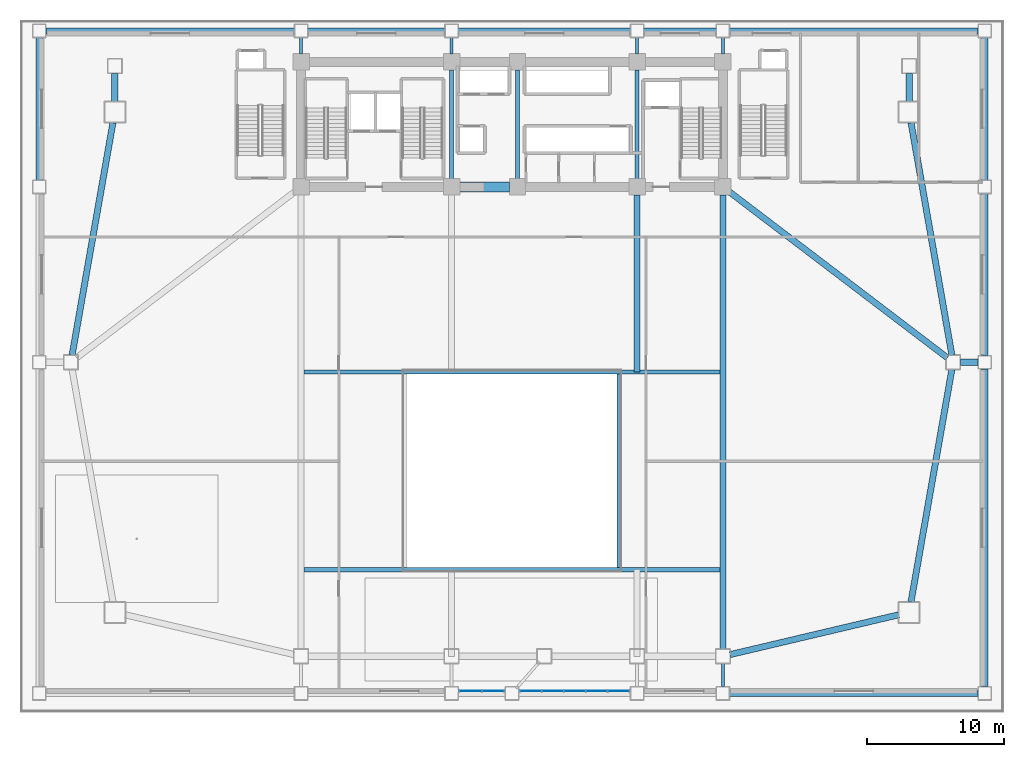
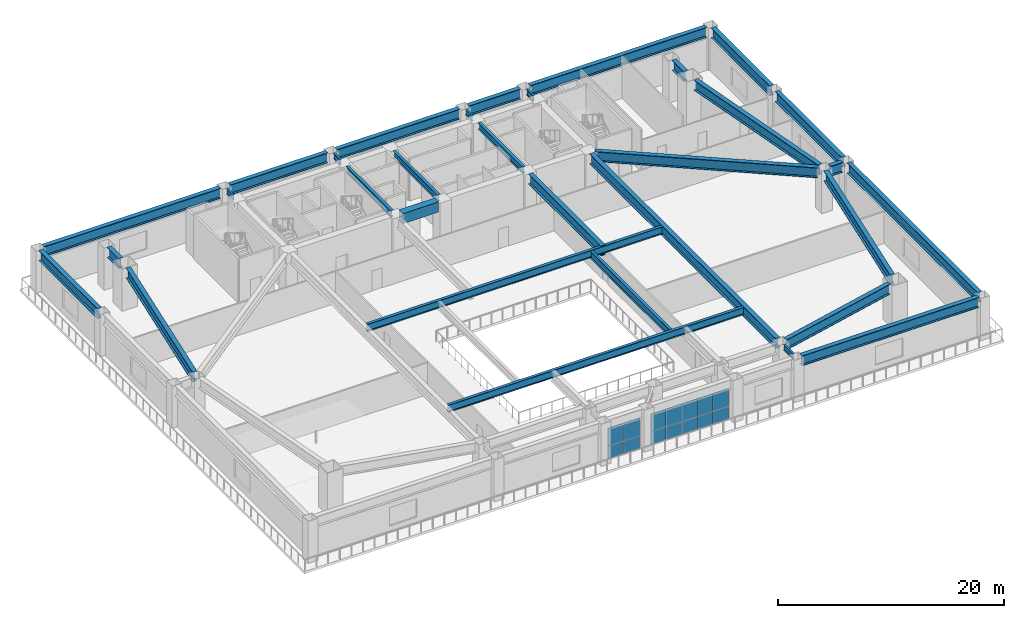
# One storey, part 5 of 14: 32 beams, 14 plates, 2 elements without a shape of their own.
"""IFC4 building model written with IfcOpenShell, lengths in metres."""

from ifc_helpers import new_model, si_unit, direction, frame, origin, origin_2d, place, context, subcontext, project, spatial, rectangle, i_section, extrude, source, transform, mapped, material, layer, layer_set, material_profile, profile_set, type_object, element, aggregate, save


model = new_model("IFC4")

# Units and contexts
model_context = context("Model", 3, precision=1e-05, world=origin(), true_north=direction((0.0, 1.0)))
body_context = subcontext(model_context, "Body", "Model", "MODEL_VIEW")
ifc_project = project(units=[si_unit("LENGTHUNIT", "METRE"), si_unit("AREAUNIT", "SQUARE_METRE"), si_unit("VOLUMEUNIT", "CUBIC_METRE"), si_unit("PLANEANGLEUNIT", "RADIAN"), si_unit("MASSUNIT", "GRAM", prefix="KILO")], contexts=[model_context])

# Site, building, storey
site_placement = place(None, origin())
site = spatial("IfcSite", under=ifc_project, at=site_placement, CompositionType="ELEMENT")
building_placement = place(site_placement, origin())
building = spatial("IfcBuilding", under=site, at=building_placement, Name="Giltprow Tower", CompositionType="ELEMENT")
storey_placement = place(building_placement, frame((0.0, 0.0, 5.60009765625)))
storey = spatial("IfcBuildingStorey", under=building, at=storey_placement, Name="L02", CompositionType="ELEMENT", Elevation=5.60009765625)

# Beams
ifc_material_1 = material(Name="Concrete C60", Category="concrete")
ifc_material_profile_1 = material_profile(ifc_material_1, rectangle(XDim=0.699951171875, YDim=1.10009765625, at=origin_2d()), Name="RC 1100x700")
ifc_profile_set_1 = profile_set([ifc_material_profile_1], Name="Concrete C60")
beam_type_1 = type_object("IfcBeamType", Name="BM-CPL-RC1100", PredefinedType="LINTEL", material=ifc_profile_set_1)
shared_shape_1 = source(origin(), body_context, "Body", "SweptSolid", [
    extrude(rectangle(XDim=0.699951171875, YDim=1.10009765625, at=origin_2d()), origin(), (0.0, 0.0, 1.0), 3.6298828125),
])
beam_1_placement = place(storey_placement, frame((31.385009765625, 37.449951171875, 3.989990234375), z_axis=(1.0, 0.0, 0.0), x_axis=(0.0, 1.0, 0.0)))
element("IfcBeam", 1, at=beam_1_placement, inside=storey, type_object=beam_type_1, Name="L02 Core Coupling Beam CB-1", PredefinedType="LINTEL", context=body_context, shape_type="MappedRepresentation", body=[
    mapped(shared_shape_1, transform((0.0, 0.0, 0.0), x_axis=(1.0, 0.0, 0.0), y_axis=(0.0, 1.0, 0.0), z_axis=(0.0, 0.0, 1.0), scale=1.0)),
])
ifc_material_2 = material(Name="Structural steel Q355B", Category="steel")
ifc_material_profile_2 = material_profile(ifc_material_2, i_section(OverallWidth=0.300048828125, OverallDepth=0.699951171875, WebThickness=0.012939453125, FlangeThickness=0.02392578125, at=origin_2d()), Name="HN 700x300x13x24")
ifc_profile_set_2 = profile_set([ifc_material_profile_2], Name="Structural steel Q355B")
beam_type_2 = type_object("IfcBeamType", Name="BM-GIRD-HN700", PredefinedType="BEAM", material=ifc_profile_set_2)
shared_shape_2 = source(origin(), body_context, "Body", "SweptSolid", [
    extrude(i_section(OverallWidth=0.300048828125, OverallDepth=0.699951171875, WebThickness=0.012939453125, FlangeThickness=0.02392578125, at=origin_2d()), origin(), (0.0, 0.0, 1.0), 7.93017578125),
])
for number, where, z_axis, x_axis, name in (
    (2, (30.800048828125, 38.034912109375, 4.18994140625), (0.0, 1.0, 0.0), (-1.0, 0.0, 0.0), "L02 Core Tie Girder M1"),
    (3, (35.60009765625, 38.034912109375, 4.18994140625), (0.0, 1.0, 0.0), (-1.0, 0.0, 0.0), "L02 Core Tie Girder M2"),
    (4, (44.300048828125, 38.034912109375, 4.18994140625), (0.0, 1.0, 0.0), (-1.0, 0.0, 0.0), "L02 Core Tie Girder M3"),
):
    element("IfcBeam", number, at=place(storey_placement, frame(where, z_axis=z_axis, x_axis=x_axis)), inside=storey, type_object=beam_type_2, Name=name, PredefinedType="BEAM", context=body_context, shape_type="MappedRepresentation", body=[
        mapped(shared_shape_2, transform((0.0, 0.0, 0.0), x_axis=(1.0, 0.0, 0.0), y_axis=(0.0, 1.0, 0.0), z_axis=(0.0, 0.0, 1.0), scale=1.0)),
    ])
ifc_material_3 = material(Name="Structural steel Q420GJC", Category="steel")
ifc_material_profile_3 = material_profile(ifc_material_3, i_section(OverallWidth=0.449951171875, OverallDepth=1.10009765625, WebThickness=0.02587890625, FlangeThickness=0.0419921875, at=origin_2d()), Name="WH 1100x450x26x42")
ifc_profile_set_3 = profile_set([ifc_material_profile_3], Name="Structural steel Q420GJC")
beam_type_3 = type_object("IfcBeamType", Name="BM-GIRD-WH1100", PredefinedType="BEAM", material=ifc_profile_set_3)
shared_shape_3 = source(origin(), body_context, "Body", "SweptSolid", [
    extrude(i_section(OverallWidth=0.449951171875, OverallDepth=1.10009765625, WebThickness=0.02587890625, FlangeThickness=0.0419921875, at=origin_2d()), origin(), (0.0, 0.0, 1.0), 12.602294921875),
])
beam_2_placement = place(storey_placement, frame((51.071044921875, 3.423095703125, 3.989990234375), z_axis=(0.973220162017, 0.229875001344, 0.0), x_axis=(-0.229875001344, 0.973220162017, 0.0)))
element("IfcBeam", 5, at=beam_2_placement, inside=storey, type_object=beam_type_3, Name="L02 Tower Base Ring Girder 6", PredefinedType="BEAM", context=body_context, shape_type="MappedRepresentation", body=[
    mapped(shared_shape_3, transform((0.0, 0.0, 0.0), x_axis=(1.0, 0.0, 0.0), y_axis=(0.0, 1.0, 0.0), z_axis=(0.0, 0.0, 1.0), scale=1.0)),
])
shared_shape_4 = source(origin(), body_context, "Body", "SweptSolid", [
    extrude(i_section(OverallWidth=0.449951171875, OverallDepth=1.10009765625, WebThickness=0.02587890625, FlangeThickness=0.0419921875, at=origin_2d()), origin(), (0.0, 0.0, 1.0), 17.1591796875),
])
beam_3_placement = place(storey_placement, frame((64.236083984375, 7.27294921875, 3.989990234375), z_axis=(0.173139216532, 0.984897360997, 0.0), x_axis=(-0.984897360997, 0.173139216532, 0.0)))
element("IfcBeam", 6, at=beam_3_placement, inside=storey, type_object=beam_type_3, Name="L02 Tower Base Ring Girder 7", PredefinedType="BEAM", context=body_context, shape_type="MappedRepresentation", body=[
    mapped(shared_shape_4, transform((0.0, 0.0, 0.0), x_axis=(1.0, 0.0, 0.0), y_axis=(0.0, 1.0, 0.0), z_axis=(0.0, 0.0, 1.0), scale=1.0)),
])
shared_shape_5 = source(origin(), body_context, "Body", "SweptSolid", [
    extrude(i_section(OverallWidth=0.449951171875, OverallDepth=1.10009765625, WebThickness=0.02587890625, FlangeThickness=0.0419921875, at=origin_2d()), origin(), (0.0, 0.0, 1.0), 17.158935546875),
])
for number, where, z_axis, x_axis, name in (
    (7, (67.20703125, 25.22705078125, 3.989990234375), (-0.173141642767, 0.984896934476, 0.0), (-0.984896934476, -0.173141642767, 0.0), "L02 Tower Base Ring Girder 8"),
    (8, (6.1640625, 42.126953125, 3.989990234375), (-0.173141642767, -0.984896934476, 0.0), (0.984896934476, -0.173141642767, 0.0), "L02 Tower Base Ring Girder 11"),
):
    element("IfcBeam", number, at=place(storey_placement, frame(where, z_axis=z_axis, x_axis=x_axis)), inside=storey, type_object=beam_type_3, Name=name, PredefinedType="BEAM", context=body_context, shape_type="MappedRepresentation", body=[
        mapped(shared_shape_5, transform((0.0, 0.0, 0.0), x_axis=(1.0, 0.0, 0.0), y_axis=(0.0, 1.0, 0.0), z_axis=(0.0, 0.0, 1.0), scale=1.0)),
    ])
shared_shape_6 = source(origin(), body_context, "Body", "SweptSolid", [
    extrude(i_section(OverallWidth=0.449951171875, OverallDepth=1.10009765625, WebThickness=0.02587890625, FlangeThickness=0.0419921875, at=origin_2d()), origin(), (0.0, 0.0, 1.0), 2.030029296875),
])
for number, where, z_axis, x_axis, name in (
    (9, (64.10009765625, 43.68505859375, 3.989990234375), (0.0, 1.0, 0.0), (-1.0, 0.0, 0.0), "L02 Tower Base Ring Girder 9"),
    (10, (6.300048828125, 45.715087890625, 3.989990234375), (0.0, -1.0, 0.0), (1.0, 0.0, 0.0), "L02 Tower Base Ring Girder 10"),
):
    element("IfcBeam", number, at=place(storey_placement, frame(where, z_axis=z_axis, x_axis=x_axis)), inside=storey, type_object=beam_type_3, Name=name, PredefinedType="BEAM", context=body_context, shape_type="MappedRepresentation", body=[
        mapped(shared_shape_6, transform((0.0, 0.0, 0.0), x_axis=(1.0, 0.0, 0.0), y_axis=(0.0, 1.0, 0.0), z_axis=(0.0, 0.0, 1.0), scale=1.0)),
    ])
shared_shape_7 = source(origin(), body_context, "Body", "SweptSolid", [
    extrude(i_section(OverallWidth=0.449951171875, OverallDepth=1.10009765625, WebThickness=0.02587890625, FlangeThickness=0.0419921875, at=origin_2d()), origin(), (0.0, 0.0, 1.0), 33.030029296875),
])
beam_4_placement = place(storey_placement, frame((50.550048828125, 3.8349609375, 3.989990234375), z_axis=(0.0, 1.0, 0.0), x_axis=(-1.0, 0.0, 0.0)))
element("IfcBeam", 11, at=beam_4_placement, inside=storey, type_object=beam_type_3, Name="L02 Primary Podium Span Girder S4", PredefinedType="BEAM", context=body_context, shape_type="MappedRepresentation", body=[
    mapped(shared_shape_7, transform((0.0, 0.0, 0.0), x_axis=(1.0, 0.0, 0.0), y_axis=(0.0, 1.0, 0.0), z_axis=(0.0, 0.0, 1.0), scale=1.0)),
])
shared_shape_8 = source(origin(), body_context, "Body", "SweptSolid", [
    extrude(i_section(OverallWidth=0.449951171875, OverallDepth=1.10009765625, WebThickness=0.02587890625, FlangeThickness=0.0419921875, at=origin_2d()), origin(), (0.0, 0.0, 1.0), 19.930908203125),
])
beam_5_placement = place(storey_placement, frame((51.014892578125, 37.095947265625, 3.989990234375), z_axis=(0.795700739064, -0.605689965124, 0.0), x_axis=(0.605689965124, 0.795700739064, 0.0)))
element("IfcBeam", 12, at=beam_5_placement, inside=storey, type_object=beam_type_3, Name="L02 East Tie 2", PredefinedType="BEAM", context=body_context, shape_type="MappedRepresentation", body=[
    mapped(shared_shape_8, transform((0.0, 0.0, 0.0), x_axis=(1.0, 0.0, 0.0), y_axis=(0.0, 1.0, 0.0), z_axis=(0.0, 0.0, 1.0), scale=1.0)),
])
shared_shape_9 = source(origin(), body_context, "Body", "SweptSolid", [
    extrude(i_section(OverallWidth=0.449951171875, OverallDepth=1.10009765625, WebThickness=0.02587890625, FlangeThickness=0.0419921875, at=origin_2d()), origin(), (0.0, 0.0, 1.0), 18.080078125),
])
for number, where, z_axis, x_axis, name in (
    (13, (51.034912109375, 0.60009765625, 3.989990234375), (1.0, 0.0, 0.0), (0.0, 1.0, 0.0), "L02 Podium South Edge Girder"),
    (14, (1.284912109375, 48.800048828125, 3.989990234375), (1.0, 0.0, 0.0), (0.0, 1.0, 0.0), "L02 Podium North Edge Girder"),
    (15, (51.034912109375, 48.800048828125, 3.989990234375), (1.0, 0.0, 0.0), (0.0, 1.0, 0.0), "L02 Podium North Edge Girder"),
):
    element("IfcBeam", number, at=place(storey_placement, frame(where, z_axis=z_axis, x_axis=x_axis)), inside=storey, type_object=beam_type_3, Name=name, PredefinedType="BEAM", context=body_context, shape_type="MappedRepresentation", body=[
        mapped(shared_shape_9, transform((0.0, 0.0, 0.0), x_axis=(1.0, 0.0, 0.0), y_axis=(0.0, 1.0, 0.0), z_axis=(0.0, 0.0, 1.0), scale=1.0)),
    ])
shared_shape_10 = source(origin(), body_context, "Body", "SweptSolid", [
    extrude(i_section(OverallWidth=0.449951171875, OverallDepth=1.10009765625, WebThickness=0.02587890625, FlangeThickness=0.0419921875, at=origin_2d()), origin(), (0.0, 0.0, 1.0), 9.97998046875),
])
beam_6_placement = place(storey_placement, frame((20.3349609375, 48.800048828125, 3.989990234375), z_axis=(1.0, 0.0, 0.0), x_axis=(0.0, 1.0, 0.0)))
element("IfcBeam", 16, at=beam_6_placement, inside=storey, type_object=beam_type_3, Name="L02 Podium North Edge Girder", PredefinedType="BEAM", context=body_context, shape_type="MappedRepresentation", body=[
    mapped(shared_shape_10, transform((0.0, 0.0, 0.0), x_axis=(1.0, 0.0, 0.0), y_axis=(0.0, 1.0, 0.0), z_axis=(0.0, 0.0, 1.0), scale=1.0)),
])
shared_shape_11 = source(origin(), body_context, "Body", "SweptSolid", [
    extrude(i_section(OverallWidth=0.449951171875, OverallDepth=1.10009765625, WebThickness=0.02587890625, FlangeThickness=0.0419921875, at=origin_2d()), origin(), (0.0, 0.0, 1.0), 5.280029296875),
])
beam_7_placement = place(storey_placement, frame((44.784912109375, 48.800048828125, 3.989990234375), z_axis=(1.0, 0.0, 0.0), x_axis=(0.0, 1.0, 0.0)))
element("IfcBeam", 17, at=beam_7_placement, inside=storey, type_object=beam_type_3, Name="L02 Podium North Edge Girder", PredefinedType="BEAM", context=body_context, shape_type="MappedRepresentation", body=[
    mapped(shared_shape_11, transform((0.0, 0.0, 0.0), x_axis=(1.0, 0.0, 0.0), y_axis=(0.0, 1.0, 0.0), z_axis=(0.0, 0.0, 1.0), scale=1.0)),
])
shared_shape_12 = source(origin(), body_context, "Body", "SweptSolid", [
    extrude(i_section(OverallWidth=0.449951171875, OverallDepth=1.10009765625, WebThickness=0.02587890625, FlangeThickness=0.0419921875, at=origin_2d()), origin(), (0.0, 0.0, 1.0), 12.530029296875),
])
beam_8_placement = place(storey_placement, frame((31.284912109375, 48.800048828125, 3.989990234375), z_axis=(1.0, 0.0, 0.0), x_axis=(0.0, 1.0, 0.0)))
element("IfcBeam", 18, at=beam_8_placement, inside=storey, type_object=beam_type_3, Name="L02 Podium North Edge Girder", PredefinedType="BEAM", context=body_context, shape_type="MappedRepresentation", body=[
    mapped(shared_shape_12, transform((0.0, 0.0, 0.0), x_axis=(1.0, 0.0, 0.0), y_axis=(0.0, 1.0, 0.0), z_axis=(0.0, 0.0, 1.0), scale=1.0)),
])
shared_shape_13 = source(origin(), body_context, "Body", "SweptSolid", [
    extrude(i_section(OverallWidth=0.449951171875, OverallDepth=1.10009765625, WebThickness=0.02587890625, FlangeThickness=0.0419921875, at=origin_2d()), origin(), (0.0, 0.0, 1.0), 23.130126953125),
])
beam_9_placement = place(storey_placement, frame((69.60009765625, 1.0849609375, 3.989990234375), z_axis=(0.0, 1.0, 0.0), x_axis=(-1.0, 0.0, 0.0)))
element("IfcBeam", 19, at=beam_9_placement, inside=storey, type_object=beam_type_3, Name="L02 Podium Side Girder", PredefinedType="BEAM", context=body_context, shape_type="MappedRepresentation", body=[
    mapped(shared_shape_13, transform((0.0, 0.0, 0.0), x_axis=(1.0, 0.0, 0.0), y_axis=(0.0, 1.0, 0.0), z_axis=(0.0, 0.0, 1.0), scale=1.0)),
])
shared_shape_14 = source(origin(), body_context, "Body", "SweptSolid", [
    extrude(i_section(OverallWidth=0.449951171875, OverallDepth=1.10009765625, WebThickness=0.02587890625, FlangeThickness=0.0419921875, at=origin_2d()), origin(), (0.0, 0.0, 1.0), 11.780029296875),
])
beam_10_placement = place(storey_placement, frame((69.60009765625, 25.18505859375, 3.989990234375), z_axis=(0.0, 1.0, 0.0), x_axis=(-1.0, 0.0, 0.0)))
element("IfcBeam", 20, at=beam_10_placement, inside=storey, type_object=beam_type_3, Name="L02 Podium Side Girder", PredefinedType="BEAM", context=body_context, shape_type="MappedRepresentation", body=[
    mapped(shared_shape_14, transform((0.0, 0.0, 0.0), x_axis=(1.0, 0.0, 0.0), y_axis=(0.0, 1.0, 0.0), z_axis=(0.0, 0.0, 1.0), scale=1.0)),
])
shared_shape_15 = source(origin(), body_context, "Body", "SweptSolid", [
    extrude(i_section(OverallWidth=0.449951171875, OverallDepth=1.10009765625, WebThickness=0.02587890625, FlangeThickness=0.0419921875, at=origin_2d()), origin(), (0.0, 0.0, 1.0), 10.3798828125),
])
for number, where, z_axis, x_axis, name in (
    (21, (0.800048828125, 37.93505859375, 3.989990234375), (0.0, 1.0, 0.0), (-1.0, 0.0, 0.0), "L02 Podium Side Girder"),
    (22, (69.60009765625, 37.93505859375, 3.989990234375), (0.0, 1.0, 0.0), (-1.0, 0.0, 0.0), "L02 Podium Side Girder"),
):
    element("IfcBeam", number, at=place(storey_placement, frame(where, z_axis=z_axis, x_axis=x_axis)), inside=storey, type_object=beam_type_3, Name=name, PredefinedType="BEAM", context=body_context, shape_type="MappedRepresentation", body=[
        mapped(shared_shape_15, transform((0.0, 0.0, 0.0), x_axis=(1.0, 0.0, 0.0), y_axis=(0.0, 1.0, 0.0), z_axis=(0.0, 0.0, 1.0), scale=1.0)),
    ])
ifc_material_profile_4 = material_profile(ifc_material_2, i_section(OverallWidth=0.199951171875, OverallDepth=0.60009765625, WebThickness=0.010986328125, FlangeThickness=0.01708984375, at=origin_2d()), Name="HN 600x200x11x17")
ifc_profile_set_4 = profile_set([ifc_material_profile_4], Name="Structural steel Q355B")
beam_type_4 = type_object("IfcBeamType", Name="BM-GIRD-HN600", PredefinedType="BEAM", material=ifc_profile_set_4)
shared_shape_16 = source(origin(), body_context, "Body", "SweptSolid", [
    extrude(i_section(OverallWidth=0.199951171875, OverallDepth=0.60009765625, WebThickness=0.010986328125, FlangeThickness=0.01708984375, at=origin_2d()), origin(), (0.0, 0.0, 1.0), 1.679931640625),
])
beam_11_placement = place(storey_placement, frame((50.550048828125, 1.0849609375, 4.239990234375), z_axis=(0.0, 1.0, 0.0), x_axis=(-1.0, 0.0, 0.0)))
element("IfcBeam", 23, at=beam_11_placement, inside=storey, type_object=beam_type_4, Name="L02 South Perimeter Tie S4", PredefinedType="BEAM", context=body_context, shape_type="MappedRepresentation", body=[
    mapped(shared_shape_16, transform((0.0, 0.0, 0.0), x_axis=(1.0, 0.0, 0.0), y_axis=(0.0, 1.0, 0.0), z_axis=(0.0, 0.0, 1.0), scale=1.0)),
])
shared_shape_17 = source(origin(), body_context, "Body", "SweptSolid", [
    extrude(i_section(OverallWidth=0.199951171875, OverallDepth=0.60009765625, WebThickness=0.010986328125, FlangeThickness=0.01708984375, at=origin_2d()), origin(), (0.0, 0.0, 1.0), 1.179931640625),
])
for number, where, z_axis, x_axis, name in (
    (24, (19.85009765625, 47.135009765625, 4.239990234375), (0.0, 1.0, 0.0), (-1.0, 0.0, 0.0), "L02 North Perimeter Tie S1"),
    (25, (30.800048828125, 47.135009765625, 4.239990234375), (0.0, 1.0, 0.0), (-1.0, 0.0, 0.0), "L02 North Perimeter Tie S2"),
    (26, (44.300048828125, 47.135009765625, 4.239990234375), (0.0, 1.0, 0.0), (-1.0, 0.0, 0.0), "L02 North Perimeter Tie S3"),
    (27, (50.550048828125, 47.135009765625, 4.239990234375), (0.0, 1.0, 0.0), (-1.0, 0.0, 0.0), "L02 North Perimeter Tie S4"),
):
    element("IfcBeam", number, at=place(storey_placement, frame(where, z_axis=z_axis, x_axis=x_axis)), inside=storey, type_object=beam_type_4, Name=name, PredefinedType="BEAM", context=body_context, shape_type="MappedRepresentation", body=[
        mapped(shared_shape_17, transform((0.0, 0.0, 0.0), x_axis=(1.0, 0.0, 0.0), y_axis=(0.0, 1.0, 0.0), z_axis=(0.0, 0.0, 1.0), scale=1.0)),
    ])
shared_shape_18 = source(origin(), body_context, "Body", "SweptSolid", [
    extrude(i_section(OverallWidth=0.449951171875, OverallDepth=1.10009765625, WebThickness=0.02587890625, FlangeThickness=0.0419921875, at=origin_2d()), origin(), (0.0, 0.0, 1.0), 12.85009765625),
])
beam_12_placement = place(storey_placement, frame((44.300048828125, 24.0, 3.989990234375), z_axis=(0.0, 1.0, 0.0), x_axis=(-1.0, 0.0, 0.0)))
element("IfcBeam", 28, at=beam_12_placement, inside=storey, type_object=beam_type_3, Name="L02 Atrium North Girder S3", PredefinedType="BEAM", context=body_context, shape_type="MappedRepresentation", body=[
    mapped(shared_shape_18, transform((0.0, 0.0, 0.0), x_axis=(1.0, 0.0, 0.0), y_axis=(0.0, 1.0, 0.0), z_axis=(0.0, 0.0, 1.0), scale=1.0)),
])
shared_shape_19 = source(origin(), body_context, "Body", "SweptSolid", [
    extrude(i_section(OverallWidth=0.449951171875, OverallDepth=1.10009765625, WebThickness=0.02587890625, FlangeThickness=0.0419921875, at=origin_2d()), origin(), (0.0, 0.0, 1.0), 1.280029296875),
])
beam_13_placement = place(storey_placement, frame((67.8349609375, 24.699951171875, 3.989990234375), z_axis=(1.0, 0.0, 0.0), x_axis=(0.0, 1.0, 0.0)))
element("IfcBeam", 29, at=beam_13_placement, inside=storey, type_object=beam_type_3, Name="L02 East Tie 1", PredefinedType="BEAM", context=body_context, shape_type="MappedRepresentation", body=[
    mapped(shared_shape_19, transform((0.0, 0.0, 0.0), x_axis=(1.0, 0.0, 0.0), y_axis=(0.0, 1.0, 0.0), z_axis=(0.0, 0.0, 1.0), scale=1.0)),
])
ifc_material_profile_5 = material_profile(ifc_material_2, i_section(OverallWidth=0.300048828125, OverallDepth=0.800048828125, WebThickness=0.013916015625, FlangeThickness=0.02587890625, at=origin_2d()), Name="HN 800x300x14x26")
ifc_profile_set_5 = profile_set([ifc_material_profile_5], Name="Structural steel Q355B")
beam_type_5 = type_object("IfcBeamType", Name="BM-GIRD-HN800", PredefinedType="BEAM", material=ifc_profile_set_5)
shared_shape_20 = source(origin(), body_context, "Body", "SweptSolid", [
    extrude(i_section(OverallWidth=0.300048828125, OverallDepth=0.800048828125, WebThickness=0.013916015625, FlangeThickness=0.02587890625, at=origin_2d()), origin(), (0.0, 0.0, 1.0), 30.260009765625),
])
for number, where, z_axis, x_axis, name in (
    (30, (20.070068359375, 9.60009765625, 4.139892578125), (1.0, 0.0, 0.0), (0.0, 1.0, 0.0), "L02 Atrium Edge Girder S"),
    (31, (20.070068359375, 24.0, 4.139892578125), (1.0, 0.0, 0.0), (0.0, 1.0, 0.0), "L02 Atrium Edge Girder N"),
):
    element("IfcBeam", number, at=place(storey_placement, frame(where, z_axis=z_axis, x_axis=x_axis)), inside=storey, type_object=beam_type_5, Name=name, PredefinedType="BEAM", context=body_context, shape_type="MappedRepresentation", body=[
        mapped(shared_shape_20, transform((0.0, 0.0, 0.0), x_axis=(1.0, 0.0, 0.0), y_axis=(0.0, 1.0, 0.0), z_axis=(0.0, 0.0, 1.0), scale=1.0)),
    ])
shared_shape_21 = source(origin(), body_context, "Body", "SweptSolid", [
    extrude(i_section(OverallWidth=0.300048828125, OverallDepth=0.800048828125, WebThickness=0.013916015625, FlangeThickness=0.02587890625, at=origin_2d()), origin(), (0.0, 0.0, 1.0), 14.10009765625),
])
beam_14_placement = place(storey_placement, frame((43.0, 9.75, 4.139892578125), z_axis=(0.0, 1.0, 0.0), x_axis=(-1.0, 0.0, 0.0)))
element("IfcBeam", 32, at=beam_14_placement, inside=storey, type_object=beam_type_5, Name="L02 Atrium Edge Girder E", PredefinedType="BEAM", context=body_context, shape_type="MappedRepresentation", body=[
    mapped(shared_shape_21, transform((0.0, 0.0, 0.0), x_axis=(1.0, 0.0, 0.0), y_axis=(0.0, 1.0, 0.0), z_axis=(0.0, 0.0, 1.0), scale=1.0)),
])

# Curtain wall, plates
ifc_material_4 = material(Name="Anodized bronze", Category="metal")
ifc_layer = layer(ifc_material_4, 0.179931640625, Name="Anodized bronze")
ifc_layer_set = layer_set([ifc_layer], Name="Anodized bronze")
curtain_wall_type = type_object("IfcCurtainWallType", Name="CW-POD-STOREFRONT", PredefinedType="NOTDEFINED", material=ifc_layer_set)
curtain_wall_1_placement = place(storey_placement, origin())
curtain_wall_1 = element("IfcCurtainWall", 33, at=curtain_wall_1_placement, inside=storey, type_object=curtain_wall_type, Name="L02 South Waterfront Storefront 3", PredefinedType="NOTDEFINED")
ifc_material_5 = material(Name="Insulated glass", Category="glass")
plate_type = type_object("IfcPlateType", Name="CW-PANEL-IGU-28", PredefinedType="CURTAIN_PANEL", material=ifc_material_5)
shared_shape_22 = source(origin(), body_context, "Body", "SweptSolid", [
    extrude(rectangle(XDim=1.6201171875, YDim=0.028076171875, at=origin_2d()), origin(), (0.0, 0.0, 1.0), 1.367919921875),
])
plate_1_placement = place(storey_placement, frame((32.175048828125, 0.780029296875, 0.0537109375), z_axis=(0.0, 0.0, 1.0), x_axis=(1.0, 0.0, 0.0)))
plate_1 = element("IfcPlate", 34, at=plate_1_placement, type_object=plate_type, Name="L02 South Waterfront Storefront 3 Glazing Panel 1-1", PredefinedType="CURTAIN_PANEL", context=body_context, shape_type="MappedRepresentation", body=[
    mapped(shared_shape_22, transform((0.0, 0.0, 0.0), x_axis=(1.0, 0.0, 0.0), y_axis=(0.0, 1.0, 0.0), z_axis=(0.0, 0.0, 1.0), scale=1.0)),
])
plate_2_placement = place(storey_placement, frame((33.824951171875, 0.780029296875, 0.0537109375), z_axis=(0.0, 0.0, 1.0), x_axis=(1.0, 0.0, 0.0)))
plate_2 = element("IfcPlate", 35, at=plate_2_placement, type_object=plate_type, Name="L02 South Waterfront Storefront 3 Glazing Panel 2-1", PredefinedType="CURTAIN_PANEL", context=body_context, shape_type="MappedRepresentation", body=[
    mapped(shared_shape_22, transform((0.0, 0.0, 0.0), x_axis=(1.0, 0.0, 0.0), y_axis=(0.0, 1.0, 0.0), z_axis=(0.0, 0.0, 1.0), scale=1.0)),
])
shared_shape_23 = source(origin(), body_context, "Body", "SweptSolid", [
    extrude(rectangle(XDim=1.6201171875, YDim=0.028076171875, at=origin_2d()), origin(), (0.0, 0.0, 1.0), 1.916015625),
])
plate_3_placement = place(storey_placement, frame((32.175048828125, 0.780029296875, 1.449951171875), z_axis=(0.0, 0.0, 1.0), x_axis=(1.0, 0.0, 0.0)))
plate_3 = element("IfcPlate", 36, at=plate_3_placement, type_object=plate_type, Name="L02 South Waterfront Storefront 3 Glazing Panel 1-2", PredefinedType="CURTAIN_PANEL", context=body_context, shape_type="MappedRepresentation", body=[
    mapped(shared_shape_23, transform((0.0, 0.0, 0.0), x_axis=(1.0, 0.0, 0.0), y_axis=(0.0, 1.0, 0.0), z_axis=(0.0, 0.0, 1.0), scale=1.0)),
])
plate_4_placement = place(storey_placement, frame((33.824951171875, 0.780029296875, 1.449951171875), z_axis=(0.0, 0.0, 1.0), x_axis=(1.0, 0.0, 0.0)))
plate_4 = element("IfcPlate", 37, at=plate_4_placement, type_object=plate_type, Name="L02 South Waterfront Storefront 3 Glazing Panel 2-2", PredefinedType="CURTAIN_PANEL", context=body_context, shape_type="MappedRepresentation", body=[
    mapped(shared_shape_23, transform((0.0, 0.0, 0.0), x_axis=(1.0, 0.0, 0.0), y_axis=(0.0, 1.0, 0.0), z_axis=(0.0, 0.0, 1.0), scale=1.0)),
])
aggregate(curtain_wall_1, [plate_1, plate_3, plate_2, plate_4])

curtain_wall_2_placement = place(storey_placement, origin())
curtain_wall_2 = element("IfcCurtainWall", 38, at=curtain_wall_2_placement, inside=storey, type_object=curtain_wall_type, Name="L02 South Waterfront Storefront 4", PredefinedType="NOTDEFINED")
shared_shape_24 = source(origin(), body_context, "Body", "SweptSolid", [
    extrude(rectangle(XDim=1.570068359375, YDim=0.028076171875, at=origin_2d()), origin(), (0.0, 0.0, 1.0), 1.367919921875),
])
plate_5_placement = place(storey_placement, frame((36.550048828125, 0.780029296875, 0.0537109375), z_axis=(0.0, 0.0, 1.0), x_axis=(1.0, 0.0, 0.0)))
plate_5 = element("IfcPlate", 39, at=plate_5_placement, type_object=plate_type, Name="L02 South Waterfront Storefront 4 Glazing Panel 1-1", PredefinedType="CURTAIN_PANEL", context=body_context, shape_type="MappedRepresentation", body=[
    mapped(shared_shape_24, transform((0.0, 0.0, 0.0), x_axis=(1.0, 0.0, 0.0), y_axis=(0.0, 1.0, 0.0), z_axis=(0.0, 0.0, 1.0), scale=1.0)),
])
plate_6_placement = place(storey_placement, frame((38.14990234375, 0.780029296875, 0.0537109375), z_axis=(0.0, 0.0, 1.0), x_axis=(1.0, 0.0, 0.0)))
plate_6 = element("IfcPlate", 40, at=plate_6_placement, type_object=plate_type, Name="L02 South Waterfront Storefront 4 Glazing Panel 2-1", PredefinedType="CURTAIN_PANEL", context=body_context, shape_type="MappedRepresentation", body=[
    mapped(shared_shape_24, transform((0.0, 0.0, 0.0), x_axis=(1.0, 0.0, 0.0), y_axis=(0.0, 1.0, 0.0), z_axis=(0.0, 0.0, 1.0), scale=1.0)),
])
plate_7_placement = place(storey_placement, frame((39.75, 0.780029296875, 0.0537109375), z_axis=(0.0, 0.0, 1.0), x_axis=(1.0, 0.0, 0.0)))
plate_7 = element("IfcPlate", 41, at=plate_7_placement, type_object=plate_type, Name="L02 South Waterfront Storefront 4 Glazing Panel 3-1", PredefinedType="CURTAIN_PANEL", context=body_context, shape_type="MappedRepresentation", body=[
    mapped(shared_shape_24, transform((0.0, 0.0, 0.0), x_axis=(1.0, 0.0, 0.0), y_axis=(0.0, 1.0, 0.0), z_axis=(0.0, 0.0, 1.0), scale=1.0)),
])
plate_8_placement = place(storey_placement, frame((41.35009765625, 0.780029296875, 0.0537109375), z_axis=(0.0, 0.0, 1.0), x_axis=(1.0, 0.0, 0.0)))
plate_8 = element("IfcPlate", 42, at=plate_8_placement, type_object=plate_type, Name="L02 South Waterfront Storefront 4 Glazing Panel 4-1", PredefinedType="CURTAIN_PANEL", context=body_context, shape_type="MappedRepresentation", body=[
    mapped(shared_shape_24, transform((0.0, 0.0, 0.0), x_axis=(1.0, 0.0, 0.0), y_axis=(0.0, 1.0, 0.0), z_axis=(0.0, 0.0, 1.0), scale=1.0)),
])
plate_9_placement = place(storey_placement, frame((42.949951171875, 0.780029296875, 0.0537109375), z_axis=(0.0, 0.0, 1.0), x_axis=(1.0, 0.0, 0.0)))
plate_9 = element("IfcPlate", 43, at=plate_9_placement, type_object=plate_type, Name="L02 South Waterfront Storefront 4 Glazing Panel 5-1", PredefinedType="CURTAIN_PANEL", context=body_context, shape_type="MappedRepresentation", body=[
    mapped(shared_shape_24, transform((0.0, 0.0, 0.0), x_axis=(1.0, 0.0, 0.0), y_axis=(0.0, 1.0, 0.0), z_axis=(0.0, 0.0, 1.0), scale=1.0)),
])
shared_shape_25 = source(origin(), body_context, "Body", "SweptSolid", [
    extrude(rectangle(XDim=1.570068359375, YDim=0.028076171875, at=origin_2d()), origin(), (0.0, 0.0, 1.0), 1.916015625),
])
plate_10_placement = place(storey_placement, frame((36.550048828125, 0.780029296875, 1.449951171875), z_axis=(0.0, 0.0, 1.0), x_axis=(1.0, 0.0, 0.0)))
plate_10 = element("IfcPlate", 44, at=plate_10_placement, type_object=plate_type, Name="L02 South Waterfront Storefront 4 Glazing Panel 1-2", PredefinedType="CURTAIN_PANEL", context=body_context, shape_type="MappedRepresentation", body=[
    mapped(shared_shape_25, transform((0.0, 0.0, 0.0), x_axis=(1.0, 0.0, 0.0), y_axis=(0.0, 1.0, 0.0), z_axis=(0.0, 0.0, 1.0), scale=1.0)),
])
plate_11_placement = place(storey_placement, frame((38.14990234375, 0.780029296875, 1.449951171875), z_axis=(0.0, 0.0, 1.0), x_axis=(1.0, 0.0, 0.0)))
plate_11 = element("IfcPlate", 45, at=plate_11_placement, type_object=plate_type, Name="L02 South Waterfront Storefront 4 Glazing Panel 2-2", PredefinedType="CURTAIN_PANEL", context=body_context, shape_type="MappedRepresentation", body=[
    mapped(shared_shape_25, transform((0.0, 0.0, 0.0), x_axis=(1.0, 0.0, 0.0), y_axis=(0.0, 1.0, 0.0), z_axis=(0.0, 0.0, 1.0), scale=1.0)),
])
plate_12_placement = place(storey_placement, frame((39.75, 0.780029296875, 1.449951171875), z_axis=(0.0, 0.0, 1.0), x_axis=(1.0, 0.0, 0.0)))
plate_12 = element("IfcPlate", 46, at=plate_12_placement, type_object=plate_type, Name="L02 South Waterfront Storefront 4 Glazing Panel 3-2", PredefinedType="CURTAIN_PANEL", context=body_context, shape_type="MappedRepresentation", body=[
    mapped(shared_shape_25, transform((0.0, 0.0, 0.0), x_axis=(1.0, 0.0, 0.0), y_axis=(0.0, 1.0, 0.0), z_axis=(0.0, 0.0, 1.0), scale=1.0)),
])
plate_13_placement = place(storey_placement, frame((41.35009765625, 0.780029296875, 1.449951171875), z_axis=(0.0, 0.0, 1.0), x_axis=(1.0, 0.0, 0.0)))
plate_13 = element("IfcPlate", 47, at=plate_13_placement, type_object=plate_type, Name="L02 South Waterfront Storefront 4 Glazing Panel 4-2", PredefinedType="CURTAIN_PANEL", context=body_context, shape_type="MappedRepresentation", body=[
    mapped(shared_shape_25, transform((0.0, 0.0, 0.0), x_axis=(1.0, 0.0, 0.0), y_axis=(0.0, 1.0, 0.0), z_axis=(0.0, 0.0, 1.0), scale=1.0)),
])
plate_14_placement = place(storey_placement, frame((42.949951171875, 0.780029296875, 1.449951171875), z_axis=(0.0, 0.0, 1.0), x_axis=(1.0, 0.0, 0.0)))
plate_14 = element("IfcPlate", 48, at=plate_14_placement, type_object=plate_type, Name="L02 South Waterfront Storefront 4 Glazing Panel 5-2", PredefinedType="CURTAIN_PANEL", context=body_context, shape_type="MappedRepresentation", body=[
    mapped(shared_shape_25, transform((0.0, 0.0, 0.0), x_axis=(1.0, 0.0, 0.0), y_axis=(0.0, 1.0, 0.0), z_axis=(0.0, 0.0, 1.0), scale=1.0)),
])
aggregate(curtain_wall_2, [plate_5, plate_10, plate_6, plate_11, plate_7, plate_12, plate_8, plate_13, plate_9, plate_14])

save(model, "model.ifc")
